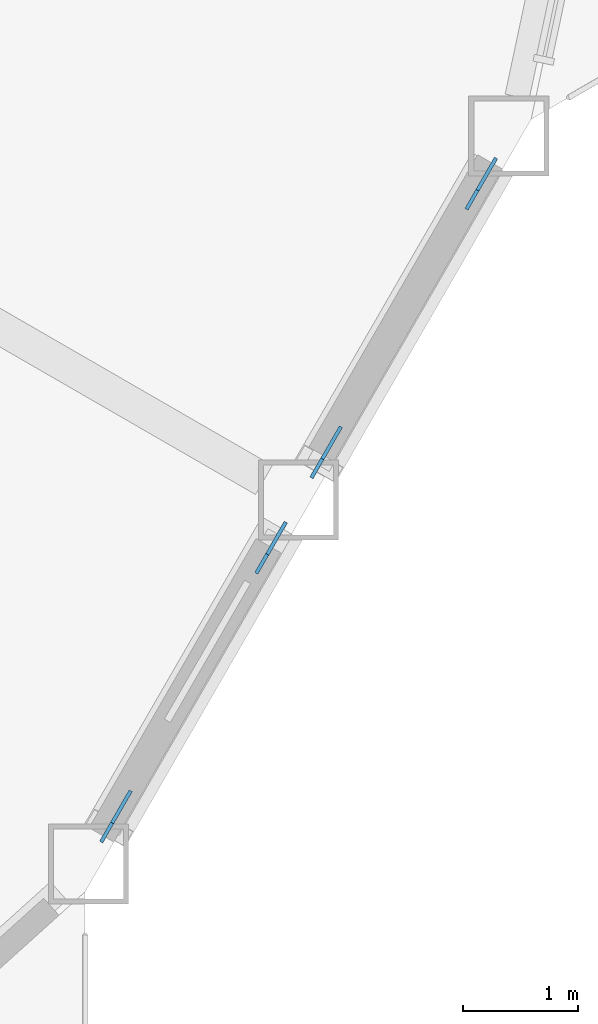
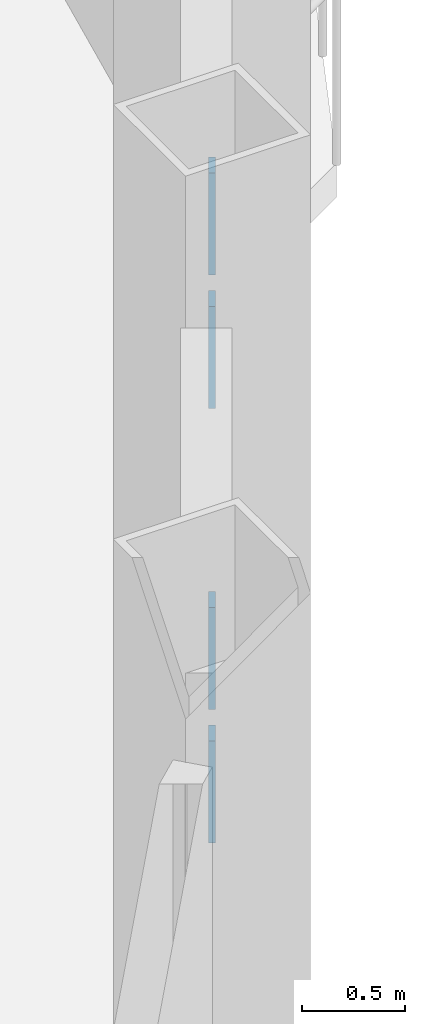
# One storey, part 17 of 23: 4 discrete accessories.
"""IFC4 building model written with IfcOpenShell, lengths in metres."""

from ifc_helpers import new_model, si_unit, direction, frame, origin, origin_2d, place, context, subcontext, project, spatial, rectangle, extrude, material, material_profile, profile_set, type_object, element, save


model = new_model("IFC4")

# Units and contexts
model_context = context("Model", 3, precision=1e-05, world=origin(), true_north=direction((0.0, 1.0)))
body_context = subcontext(model_context, "Body", "Model", "MODEL_VIEW")
ifc_project = project(units=[si_unit("LENGTHUNIT", "METRE"), si_unit("AREAUNIT", "SQUARE_METRE"), si_unit("VOLUMEUNIT", "CUBIC_METRE"), si_unit("PLANEANGLEUNIT", "RADIAN"), si_unit("MASSUNIT", "GRAM", prefix="KILO")], contexts=[model_context])

# Site, building, storey
site_placement = place(None, origin())
site = spatial("IfcSite", under=ifc_project, at=site_placement, CompositionType="ELEMENT")
building_placement = place(site_placement, origin())
building = spatial("IfcBuilding", under=site, at=building_placement, Name="Cormorant Prow Tower", CompositionType="ELEMENT")
storey_placement = place(building_placement, frame((0.0, 0.0, 267.0)))
storey = spatial("IfcBuildingStorey", under=building, at=storey_placement, Name="L60", CompositionType="ELEMENT", Elevation=267.0)

# Discrete accessories
ifc_material = material(Name="Structural steel ASTM A500 Gr C", Category="steel")
ifc_material_profile = material_profile(ifc_material, rectangle(XDim=0.031982421875, YDim=0.506103515625, at=origin_2d()), Name="Gusset plate 32x506")
ifc_profile_set = profile_set([ifc_material_profile], Name="Structural steel ASTM A500 Gr C")
discrete_accessory_type = type_object("IfcDiscreteAccessoryType", Name="Gusset plate 32x506", PredefinedType="BRACKET", material=ifc_profile_set)
discrete_accessory_1_placement = place(storey_placement, frame((27.454833984375, -16.59375, 0.863037109375), z_axis=(0.462538490196, 0.801593854051, -0.378821116405), x_axis=(-0.866147934042, 0.499787711288, 0.0)))
element("IfcDiscreteAccessory", 1, at=discrete_accessory_1_placement, inside=storey, type_object=discrete_accessory_type, Name="Gusset plate GP2 L60.ESE00.g0", PredefinedType="BRACKET", context=body_context, shape_type="SweptSolid", body=[
    extrude(rectangle(XDim=0.031982421875, YDim=0.506103515625, at=origin_2d()), origin(), (0.0, 0.0, 1.0), 0.349853515625),
])
discrete_accessory_2_placement = place(storey_placement, frame((26.262939453125, -18.658203125, 1.837890625), z_axis=(-0.462949952395, -0.801795851286, 0.37788987078), x_axis=(0.866010015463, -0.500026652407, 0.0)))
element("IfcDiscreteAccessory", 2, at=discrete_accessory_2_placement, inside=storey, type_object=discrete_accessory_type, Name="Gusset plate GP2 L60.ESE00.g1", PredefinedType="BRACKET", context=body_context, shape_type="SweptSolid", body=[
    extrude(rectangle(XDim=0.031982421875, YDim=0.506103515625, at=origin_2d()), origin(), (0.0, 0.0, 1.0), 0.35009765625),
])
discrete_accessory_3_placement = place(storey_placement, frame((29.2900390625, -13.4150390625, 0.863037109375), z_axis=(0.462538490196, 0.801593854051, -0.378821116405), x_axis=(-0.866147934042, 0.499787711288, 0.0)))
element("IfcDiscreteAccessory", 3, at=discrete_accessory_3_placement, inside=storey, type_object=discrete_accessory_type, Name="Gusset plate GP2 L60.ESE01.g0", PredefinedType="BRACKET", context=body_context, shape_type="SweptSolid", body=[
    extrude(rectangle(XDim=0.031982421875, YDim=0.506103515625, at=origin_2d()), origin(), (0.0, 0.0, 1.0), 0.349853515625),
])
discrete_accessory_4_placement = place(storey_placement, frame((28.09814453125, -15.4794921875, 1.837890625), z_axis=(-0.462949952395, -0.801795851286, 0.37788987078), x_axis=(0.866010015463, -0.500026652407, 0.0)))
element("IfcDiscreteAccessory", 4, at=discrete_accessory_4_placement, inside=storey, type_object=discrete_accessory_type, Name="Gusset plate GP2 L60.ESE01.g1", PredefinedType="BRACKET", context=body_context, shape_type="SweptSolid", body=[
    extrude(rectangle(XDim=0.031982421875, YDim=0.506103515625, at=origin_2d()), origin(), (0.0, 0.0, 1.0), 0.35009765625),
])

save(model, "model.ifc")
